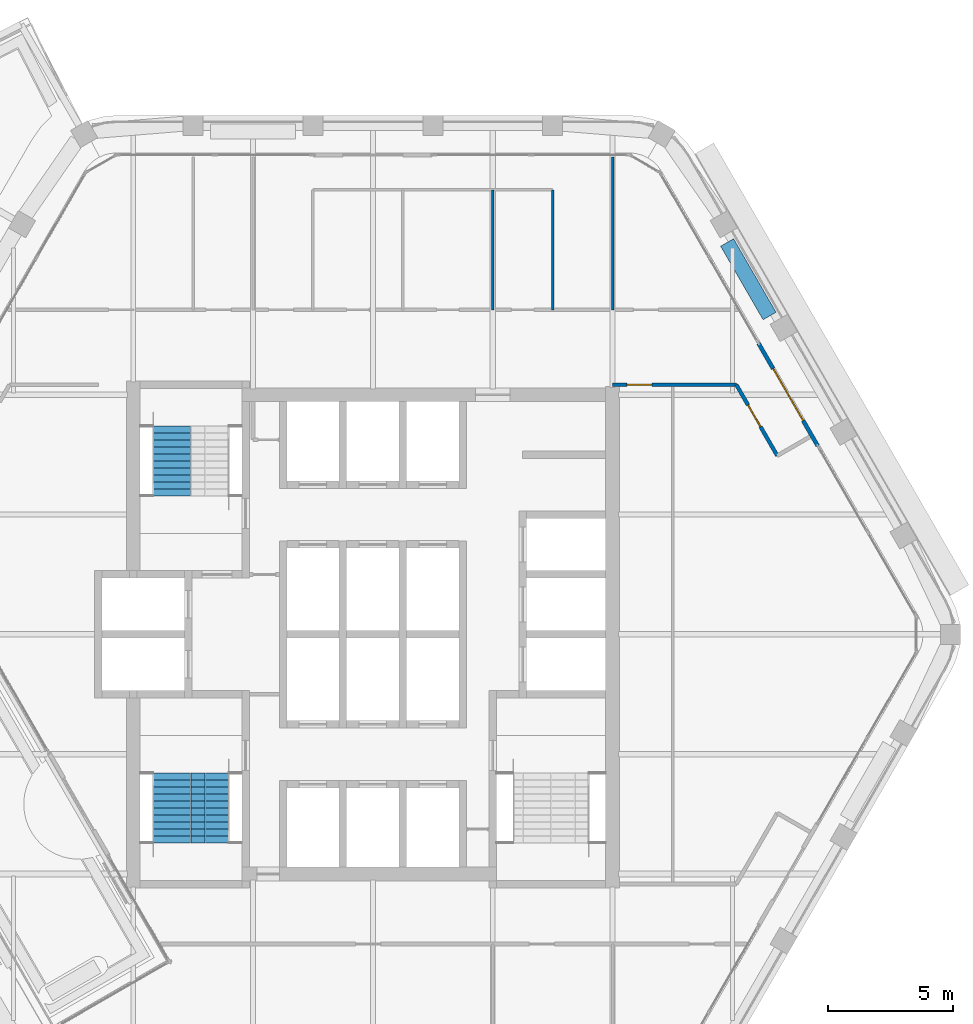
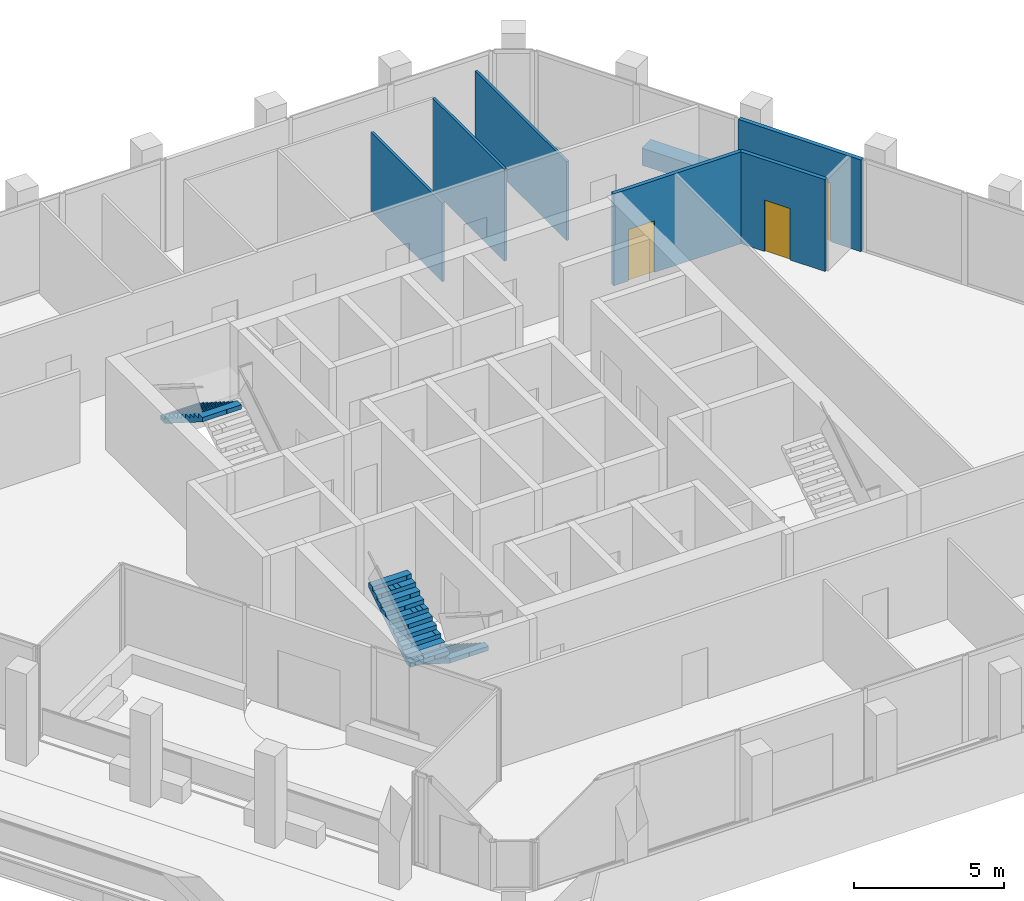
# One storey, part 12 of 15: 7 walls, 3 doors, 3 stair flights, 3 openings, 2 elements without a shape of their own.
"""IFC4 building model written with IfcOpenShell, lengths in metres."""

from ifc_helpers import new_model, si_unit, direction, frame, frame_2d, origin, place, context, subcontext, project, spatial, polyline, rectangle, outline, extrude, material, layer, layer_set, type_object, element, fill, aggregate, save


model = new_model("IFC4")

# Units and contexts
model_context = context("Model", 3, precision=1e-05, world=origin(), true_north=direction((0.0, 1.0)))
body_context = subcontext(model_context, "Body", "Model", "MODEL_VIEW")
ifc_project = project(units=[si_unit("LENGTHUNIT", "METRE"), si_unit("AREAUNIT", "SQUARE_METRE"), si_unit("VOLUMEUNIT", "CUBIC_METRE"), si_unit("PLANEANGLEUNIT", "RADIAN"), si_unit("MASSUNIT", "GRAM", prefix="KILO")], contexts=[model_context])

# Site, building, storey
site_placement = place(None, origin())
site = spatial("IfcSite", under=ifc_project, at=site_placement, CompositionType="ELEMENT")
building_placement = place(site_placement, origin())
building = spatial("IfcBuilding", under=site, at=building_placement, Name="Kolab Exchange Tower", CompositionType="ELEMENT")
storey_placement = place(building_placement, frame((0.0, 0.0, 238.39990234375)))
storey = spatial("IfcBuildingStorey", under=building, at=storey_placement, Name="L52", CompositionType="ELEMENT", Elevation=238.39990234375)

# Wall, opening, door
ifc_material_1 = material(Name="Aluminium EN AW-6063 T6", Category="aluminium")
ifc_layer_1 = layer(ifc_material_1, 0.159912109375)
ifc_layer_set_1 = layer_set([ifc_layer_1], Name="Aluminium EN AW-6063 T6")
wall_type_1 = type_object("IfcWallType", Name="DOOR SURROUND WALL 160 ALUMINIUM FRAMED", PredefinedType="PARTITIONING", material=ifc_layer_set_1)
wall_1_placement = place(storey_placement, frame((15.44677734375, 11.65478515625, 0.0), z_axis=(0.0, 0.0, 1.0), x_axis=(0.499978080042, -0.866038058908, 0.0)))
wall_1 = element("IfcWall", 1, at=wall_1_placement, inside=storey, type_object=wall_type_1, Name="Door surround wall", PredefinedType="PARTITIONING", context=body_context, shape_type="SweptSolid", body=[
    extrude(rectangle(XDim=4.739990234375, YDim=0.159912109375, at=frame_2d((2.3701171875, 0.0))), origin(), (0.0, 0.0, 1.0), 3.75),
])
opening_1_placement = place(wall_1_placement, frame((1.169921875, 0.0, 0.0)))
opening_1 = element("IfcOpeningElement", 2, at=opening_1_placement, cuts=wall_1, Name="Opening GD1-090", PredefinedType="OPENING", context=body_context, shape_type="SweptSolid", body=[
    extrude(rectangle(XDim=2.39990234375, YDim=2.39990234375, at=frame_2d((1.199951171875, 1.199951171875))), frame((0.0, 0.08984375, 0.0), z_axis=(0.0, -1.0, 0.0), x_axis=(1.0, 0.0, 0.0)), (0.0, 0.0, 1.0), 0.179931640625),
])
door_type_1 = type_object("IfcDoorType", Name="LOGGIA SLIDING GLASS DOOR 2400 X 2400", OperationType="DOUBLE_DOOR_SINGLE_SWING", PredefinedType="DOOR", material=ifc_material_1)
door_1_placement = place(opening_1_placement, origin())
door_1 = element("IfcDoor", 3, at=door_1_placement, inside=storey, type_object=door_type_1, Name="Loggia door", OperationType="DOUBLE_DOOR_SLIDING", OverallHeight=2.39990234375, OverallWidth=2.39990234375, PredefinedType="DOOR", context=body_context, shape_type="SweptSolid", body=[
    extrude(rectangle(XDim=2.39990234375, YDim=2.39990234375, at=frame_2d((1.199951171875, 1.199951171875))), frame((0.0, 0.02490234375, 0.0), z_axis=(0.0, -1.0, 0.0), x_axis=(1.0, 0.0, 0.0)), (0.0, 0.0, 1.0), 0.050048828125),
])
fill(opening_1, door_1)

# Walls
ifc_material_2 = material(Name="Gypsum board", Category="gypsum")
ifc_layer_2 = layer(ifc_material_2, 0.10009765625)
ifc_layer_set_2 = layer_set([ifc_layer_2], Name="Gypsum board")
wall_type_2 = type_object("IfcWallType", Name="PARTITION 100", PredefinedType="PARTITIONING", material=ifc_layer_set_2)
wall_2_placement = place(storey_placement, frame((9.60009765625, 13.0, 0.0), z_axis=(0.0, 0.0, 1.0), x_axis=(0.0, 1.0, 0.0)))
element("IfcWall", 4, at=wall_2_placement, inside=storey, type_object=wall_type_2, Name="Partition 002", PredefinedType="PARTITIONING", context=body_context, shape_type="SweptSolid", body=[
    extrude(rectangle(XDim=6.114501953125, YDim=0.10009765625, at=frame_2d((3.05712890625, 0.0))), origin(), (0.0, 0.0, 1.0), 3.217041015625),
])
wall_3_placement = place(storey_placement, frame((7.199951171875, 13.0, 0.0), z_axis=(0.0, 0.0, 1.0), x_axis=(0.0, 1.0, 0.0)))
element("IfcWall", 5, at=wall_3_placement, inside=storey, type_object=wall_type_2, Name="Partition 003", PredefinedType="PARTITIONING", context=body_context, shape_type="SweptSolid", body=[
    extrude(rectangle(XDim=4.800048828125, YDim=0.10009765625, at=frame_2d((2.39990234375, 0.0))), origin(), (0.0, 0.0, 1.0), 3.75),
])
wall_4_placement = place(storey_placement, frame((4.800048828125, 13.0, 0.0), z_axis=(0.0, 0.0, 1.0), x_axis=(0.0, 1.0, 0.0)))
element("IfcWall", 6, at=wall_4_placement, inside=storey, type_object=wall_type_2, Name="Partition 005", PredefinedType="PARTITIONING", context=body_context, shape_type="SweptSolid", body=[
    extrude(rectangle(XDim=4.800048828125, YDim=0.10009765625, at=frame_2d((2.39990234375, 0.0))), origin(), (0.0, 0.0, 1.0), 3.217041015625),
])

# Wall, opening, door
ifc_layer_3 = layer(ifc_material_2, 0.14990234375)
ifc_layer_set_3 = layer_set([ifc_layer_3], Name="Gypsum board")
wall_type_3 = type_object("IfcWallType", Name="PARTITION 150 FIRE-RATED", PredefinedType="PARTITIONING", material=ifc_layer_set_3)
wall_5_placement = place(storey_placement, frame((14.5546875, 10.0, 0.0), z_axis=(0.0, 0.0, 1.0), x_axis=(0.499954196102, -0.866051847062, 0.0)))
wall_5 = element("IfcWall", 7, at=wall_5_placement, inside=storey, type_object=wall_type_3, Name="Partition 011", PredefinedType="PARTITIONING", context=body_context, shape_type="SweptSolid", body=[
    extrude(rectangle(XDim=3.282958984375, YDim=0.14990234375, at=frame_2d((1.6416015625, 0.0))), origin(), (0.0, 0.0, 1.0), 3.75),
])
opening_2_placement = place(wall_5_placement, frame((0.94140625, 0.0, 0.0)))
opening_2 = element("IfcOpeningElement", 8, at=opening_2_placement, cuts=wall_5, Name="Opening D1-669", PredefinedType="OPENING", context=body_context, shape_type="SweptSolid", body=[
    extrude(rectangle(XDim=1.0, YDim=2.10009765625, at=frame_2d((0.5, 1.050048828125))), frame((0.0, 0.0849609375, 0.0), z_axis=(0.0, -1.0, 0.0), x_axis=(1.0, 0.0, 0.0)), (0.0, 0.0, 1.0), 0.169921875),
])
ifc_material_3 = material(Name="Steel S235", Category="steel")
door_type_2 = type_object("IfcDoorType", Name="FLUSH DOOR 1000 FD60", OperationType="SINGLE_SWING_LEFT", PredefinedType="DOOR", material=ifc_material_3)
door_2_placement = place(opening_2_placement, frame((1.0, 0.0, 0.0), z_axis=(0.0, 0.0, 1.0), x_axis=(-1.0, 0.0, 0.0)))
door_2 = element("IfcDoor", 9, at=door_2_placement, inside=storey, type_object=door_type_2, Name="Door L52-040", OperationType="SINGLE_SWING_LEFT", OverallHeight=2.10009765625, OverallWidth=1.0, PredefinedType="DOOR", context=body_context, shape_type="SweptSolid", body=[
    extrude(rectangle(XDim=1.0, YDim=2.10009765625, at=frame_2d((0.5, 1.050048828125))), frame((0.0, 0.02490234375, 0.0), z_axis=(0.0, -1.0, 0.0), x_axis=(1.0, 0.0, 0.0)), (0.0, 0.0, 1.0), 0.050048828125),
])
fill(opening_2, door_2)

wall_6_placement = place(storey_placement, frame((9.60009765625, 10.0, 0.0), z_axis=(0.0, 0.0, 1.0), x_axis=(1.0, 0.0, 0.0)))
wall_6 = element("IfcWall", 10, at=wall_6_placement, inside=storey, type_object=wall_type_3, Name="Partition 022", PredefinedType="PARTITIONING", context=body_context, shape_type="SweptSolid", body=[
    extrude(rectangle(XDim=4.95458984375, YDim=0.14990234375, at=frame_2d((2.477294921875, 0.0))), origin(), (0.0, 0.0, 1.0), 3.75),
])
opening_3_placement = place(wall_6_placement, frame((0.574951171875, 0.0, 0.0)))
opening_3 = element("IfcOpeningElement", 11, at=opening_3_placement, cuts=wall_6, Name="Opening D1-668", PredefinedType="OPENING", context=body_context, shape_type="SweptSolid", body=[
    extrude(rectangle(XDim=1.0, YDim=2.10009765625, at=frame_2d((0.5, 1.050048828125))), frame((0.0, 0.0849609375, 0.0), z_axis=(0.0, -1.0, 0.0), x_axis=(1.0, 0.0, 0.0)), (0.0, 0.0, 1.0), 0.169921875),
])
door_3_placement = place(opening_3_placement, frame((1.0, 0.0, 0.0), z_axis=(0.0, 0.0, 1.0), x_axis=(-1.0, 0.0, 0.0)))
door_3 = element("IfcDoor", 12, at=door_3_placement, inside=storey, type_object=door_type_2, Name="Door L52-039", OperationType="SINGLE_SWING_LEFT", OverallHeight=2.10009765625, OverallWidth=1.0, PredefinedType="DOOR", context=body_context, shape_type="SweptSolid", body=[
    extrude(rectangle(XDim=1.0, YDim=2.10009765625, at=frame_2d((0.5, 1.050048828125))), frame((0.0, 0.02490234375, 0.0), z_axis=(0.0, -1.0, 0.0), x_axis=(1.0, 0.0, 0.0)), (0.0, 0.0, 1.0), 0.050048828125),
])
fill(opening_3, door_3)

# Wall
ifc_material_4 = material(Name="Granite facing", Category="masonry")
ifc_layer_4 = layer(ifc_material_4, 0.0400390625)
ifc_material_5 = material(Name="Concrete C40/50 precast", Category="concrete")
ifc_layer_5 = layer(ifc_material_5, 0.56005859375)
ifc_layer_set_4 = layer_set([ifc_layer_4, ifc_layer_5], Name="Concrete C40/50 precast")
wall_type_4 = type_object("IfcWallType", Name="PLANTER BOX 600 X 700 SOIL DEPTH 550", PredefinedType="USERDEFINED", material=ifc_layer_set_4)
wall_7_placement = place(storey_placement, frame((14.18701171875, 15.696533203125, 0.0), z_axis=(0.0, 0.0, 1.0), x_axis=(0.499977295307, -0.866038511948, 0.0)))
element("IfcWall", 13, at=wall_7_placement, inside=storey, type_object=wall_type_4, Name="Planter", ObjectType="PLANTER", PredefinedType="USERDEFINED", context=body_context, shape_type="SweptSolid", body=[
    extrude(rectangle(XDim=3.400146484375, YDim=0.60009765625, at=frame_2d((1.7001953125, 0.0))), origin(), (0.0, 0.0, 1.0), 0.7001953125),
])

# Stair, stair flight
ifc_material_6 = material(Name="Concrete C50/60", Category="concrete")
stair_type_1 = type_object("IfcStairType", Name="STAIR ST1 RISER 177.3", PredefinedType="HALF_TURN_STAIR", material=ifc_material_6)
stair_1_placement = place(storey_placement, origin())
stair_1 = element("IfcStair", 14, at=stair_1_placement, inside=storey, type_object=stair_type_1, Name="Stair 1", PredefinedType="HALF_TURN_STAIR")
stair_flight_type = type_object("IfcStairFlightType", Name="STAIR FLIGHT 1500 RISER 177.3", PredefinedType="STRAIGHT", material=ifc_material_6)
stair_flight_1_placement = place(storey_placement, frame((-8.047607421875, 8.35009765625, 1.9501953125), z_axis=(0.0, 0.0, 1.0), x_axis=(0.0, -1.0, 0.0)))
stair_flight_1 = element("IfcStairFlight", 15, at=stair_flight_1_placement, type_object=stair_flight_type, Name="ST1 flight 2", NumberOfRisers=11, NumberOfTreads=10, PredefinedType="STRAIGHT", RiserHeight=0.177272727, TreadLength=0.28, context=body_context, shape_type="SweptSolid", body=[
    extrude(outline(polyline([(0.0, 0.0), (0.0, 0.17724609375), (0.280029296875, 0.17724609375), (0.280029296875, 0.3544921875), (0.56005859375, 0.3544921875), (0.56005859375, 0.53173828125), (0.840087890625, 0.53173828125), (0.840087890625, 0.708984375), (1.1201171875, 0.708984375), (1.1201171875, 0.886474609375), (1.39990234375, 0.886474609375), (1.39990234375, 1.063720703125), (1.679931640625, 1.063720703125), (1.679931640625, 1.240966796875), (1.9599609375, 1.240966796875), (1.9599609375, 1.418212890625), (2.239990234375, 1.418212890625), (2.239990234375, 1.595458984375), (2.52001953125, 1.595458984375), (2.52001953125, 1.772705078125), (2.800048828125, 1.772705078125), (2.800048828125, 1.949951171875), (2.800048828125, 1.59521484375), (0.2802734375, 0.0), (0.0, 0.0)])), frame((0.0, 0.75, 0.0), z_axis=(0.0, -1.0, 0.0), x_axis=(1.0, 0.0, 0.0)), (0.0, 0.0, 1.0), 0.185791015625),
    extrude(outline(polyline([(0.0, 0.0), (0.0, 0.17724609375), (0.280029296875, 0.17724609375), (0.280029296875, 0.3544921875), (0.56005859375, 0.3544921875), (0.56005859375, 0.53173828125), (0.840087890625, 0.53173828125), (0.840087890625, 0.708984375), (1.1201171875, 0.708984375), (1.1201171875, 0.886474609375), (1.39990234375, 0.886474609375), (1.39990234375, 1.063720703125), (1.679931640625, 1.063720703125), (1.679931640625, 1.240966796875), (1.9599609375, 1.240966796875), (1.9599609375, 1.418212890625), (2.239990234375, 1.418212890625), (2.239990234375, 1.595458984375), (2.52001953125, 1.595458984375), (2.52001953125, 1.772705078125), (2.800048828125, 1.772705078125), (2.800048828125, 1.949951171875), (2.800048828125, 1.59521484375), (0.2802734375, 0.0), (0.0, 0.0)])), frame((0.0, 0.562255859375, 0.0), z_axis=(0.0, -1.0, 0.0), x_axis=(1.0, 0.0, 0.0)), (0.0, 0.0, 1.0), 0.185791015625),
    extrude(outline(polyline([(0.0, 0.0), (0.0, 0.17724609375), (0.280029296875, 0.17724609375), (0.280029296875, 0.3544921875), (0.56005859375, 0.3544921875), (0.56005859375, 0.53173828125), (0.840087890625, 0.53173828125), (0.840087890625, 0.708984375), (1.1201171875, 0.708984375), (1.1201171875, 0.886474609375), (1.39990234375, 0.886474609375), (1.39990234375, 1.063720703125), (1.679931640625, 1.063720703125), (1.679931640625, 1.240966796875), (1.9599609375, 1.240966796875), (1.9599609375, 1.418212890625), (2.239990234375, 1.418212890625), (2.239990234375, 1.595458984375), (2.52001953125, 1.595458984375), (2.52001953125, 1.772705078125), (2.800048828125, 1.772705078125), (2.800048828125, 1.949951171875), (2.800048828125, 1.59521484375), (0.2802734375, 0.0), (0.0, 0.0)])), frame((0.0, 0.37451171875, 0.0), z_axis=(0.0, -1.0, 0.0), x_axis=(1.0, 0.0, 0.0)), (0.0, 0.0, 1.0), 0.185791015625),
    extrude(outline(polyline([(0.0, 0.0), (0.0, 0.17724609375), (0.280029296875, 0.17724609375), (0.280029296875, 0.3544921875), (0.56005859375, 0.3544921875), (0.56005859375, 0.53173828125), (0.840087890625, 0.53173828125), (0.840087890625, 0.708984375), (1.1201171875, 0.708984375), (1.1201171875, 0.886474609375), (1.39990234375, 0.886474609375), (1.39990234375, 1.063720703125), (1.679931640625, 1.063720703125), (1.679931640625, 1.240966796875), (1.9599609375, 1.240966796875), (1.9599609375, 1.418212890625), (2.239990234375, 1.418212890625), (2.239990234375, 1.595458984375), (2.52001953125, 1.595458984375), (2.52001953125, 1.772705078125), (2.800048828125, 1.772705078125), (2.800048828125, 1.949951171875), (2.800048828125, 1.59521484375), (0.2802734375, 0.0), (0.0, 0.0)])), frame((0.0, 0.186767578125, 0.0), z_axis=(0.0, -1.0, 0.0), x_axis=(1.0, 0.0, 0.0)), (0.0, 0.0, 1.0), 0.185791015625),
    extrude(outline(polyline([(0.0, 0.0), (0.0, 0.17724609375), (0.280029296875, 0.17724609375), (0.280029296875, 0.3544921875), (0.56005859375, 0.3544921875), (0.56005859375, 0.53173828125), (0.840087890625, 0.53173828125), (0.840087890625, 0.708984375), (1.1201171875, 0.708984375), (1.1201171875, 0.886474609375), (1.39990234375, 0.886474609375), (1.39990234375, 1.063720703125), (1.679931640625, 1.063720703125), (1.679931640625, 1.240966796875), (1.9599609375, 1.240966796875), (1.9599609375, 1.418212890625), (2.239990234375, 1.418212890625), (2.239990234375, 1.595458984375), (2.52001953125, 1.595458984375), (2.52001953125, 1.772705078125), (2.800048828125, 1.772705078125), (2.800048828125, 1.949951171875), (2.800048828125, 1.59521484375), (0.2802734375, 0.0), (0.0, 0.0)])), frame((0.0, -0.0009765625, 0.0), z_axis=(0.0, -1.0, 0.0), x_axis=(1.0, 0.0, 0.0)), (0.0, 0.0, 1.0), 0.185791015625),
    extrude(outline(polyline([(0.0, 0.0), (0.0, 0.17724609375), (0.280029296875, 0.17724609375), (0.280029296875, 0.3544921875), (0.56005859375, 0.3544921875), (0.56005859375, 0.53173828125), (0.840087890625, 0.53173828125), (0.840087890625, 0.708984375), (1.1201171875, 0.708984375), (1.1201171875, 0.886474609375), (1.39990234375, 0.886474609375), (1.39990234375, 1.063720703125), (1.679931640625, 1.063720703125), (1.679931640625, 1.240966796875), (1.9599609375, 1.240966796875), (1.9599609375, 1.418212890625), (2.239990234375, 1.418212890625), (2.239990234375, 1.595458984375), (2.52001953125, 1.595458984375), (2.52001953125, 1.772705078125), (2.800048828125, 1.772705078125), (2.800048828125, 1.949951171875), (2.800048828125, 1.59521484375), (0.2802734375, 0.0), (0.0, 0.0)])), frame((0.0, -0.188720703125, 0.0), z_axis=(0.0, -1.0, 0.0), x_axis=(1.0, 0.0, 0.0)), (0.0, 0.0, 1.0), 0.185791015625),
    extrude(outline(polyline([(0.0, 0.0), (0.0, 0.17724609375), (0.280029296875, 0.17724609375), (0.280029296875, 0.3544921875), (0.56005859375, 0.3544921875), (0.56005859375, 0.53173828125), (0.840087890625, 0.53173828125), (0.840087890625, 0.708984375), (1.1201171875, 0.708984375), (1.1201171875, 0.886474609375), (1.39990234375, 0.886474609375), (1.39990234375, 1.063720703125), (1.679931640625, 1.063720703125), (1.679931640625, 1.240966796875), (1.9599609375, 1.240966796875), (1.9599609375, 1.418212890625), (2.239990234375, 1.418212890625), (2.239990234375, 1.595458984375), (2.52001953125, 1.595458984375), (2.52001953125, 1.772705078125), (2.800048828125, 1.772705078125), (2.800048828125, 1.949951171875), (2.800048828125, 1.59521484375), (0.2802734375, 0.0), (0.0, 0.0)])), frame((0.0, -0.37646484375, 0.0), z_axis=(0.0, -1.0, 0.0), x_axis=(1.0, 0.0, 0.0)), (0.0, 0.0, 1.0), 0.185791015625),
    extrude(outline(polyline([(0.0, 0.0), (0.0, 0.17724609375), (0.280029296875, 0.17724609375), (0.280029296875, 0.3544921875), (0.56005859375, 0.3544921875), (0.56005859375, 0.53173828125), (0.840087890625, 0.53173828125), (0.840087890625, 0.708984375), (1.1201171875, 0.708984375), (1.1201171875, 0.886474609375), (1.39990234375, 0.886474609375), (1.39990234375, 1.063720703125), (1.679931640625, 1.063720703125), (1.679931640625, 1.240966796875), (1.9599609375, 1.240966796875), (1.9599609375, 1.418212890625), (2.239990234375, 1.418212890625), (2.239990234375, 1.595458984375), (2.52001953125, 1.595458984375), (2.52001953125, 1.772705078125), (2.800048828125, 1.772705078125), (2.800048828125, 1.949951171875), (2.800048828125, 1.59521484375), (0.2802734375, 0.0), (0.0, 0.0)])), frame((0.0, -0.564208984375, 0.0), z_axis=(0.0, -1.0, 0.0), x_axis=(1.0, 0.0, 0.0)), (0.0, 0.0, 1.0), 0.185791015625),
])
aggregate(stair_1, [stair_flight_1])

# Stair, stair flights
stair_type_2 = type_object("IfcStairType", Name="STAIR ST3 RISER 177.3", PredefinedType="HALF_TURN_STAIR", material=ifc_material_6)
stair_2_placement = place(storey_placement, origin())
stair_2 = element("IfcStair", 16, at=stair_2_placement, inside=storey, type_object=stair_type_2, Name="Stair 3", PredefinedType="HALF_TURN_STAIR")
stair_flight_2_placement = place(storey_placement, frame((-6.527587890625, -5.550048828125, 0.0), z_axis=(0.0, 0.0, 1.0), x_axis=(0.0, -1.0, 0.0)))
stair_flight_2 = element("IfcStairFlight", 17, at=stair_flight_2_placement, type_object=stair_flight_type, Name="ST3 flight 1", NumberOfRisers=11, NumberOfTreads=10, PredefinedType="STRAIGHT", RiserHeight=0.177272727, TreadLength=0.28, context=body_context, shape_type="SweptSolid", body=[
    extrude(outline(polyline([(0.0, 0.0), (0.0, 0.17724609375), (0.280029296875, 0.17724609375), (0.280029296875, 0.3544921875), (0.56005859375, 0.3544921875), (0.56005859375, 0.53173828125), (0.840087890625, 0.53173828125), (0.840087890625, 0.708984375), (1.1201171875, 0.708984375), (1.1201171875, 0.886474609375), (1.39990234375, 0.886474609375), (1.39990234375, 1.063720703125), (1.679931640625, 1.063720703125), (1.679931640625, 1.240966796875), (1.9599609375, 1.240966796875), (1.9599609375, 1.418212890625), (2.239990234375, 1.418212890625), (2.239990234375, 1.595458984375), (2.52001953125, 1.595458984375), (2.52001953125, 1.772705078125), (2.800048828125, 1.772705078125), (2.800048828125, 1.949951171875), (2.800048828125, 1.59521484375), (0.2802734375, 0.0), (0.0, 0.0)])), frame((0.0, 0.75, 0.0), z_axis=(0.0, -1.0, 0.0), x_axis=(1.0, 0.0, 0.0)), (0.0, 0.0, 1.0), 0.185791015625),
    extrude(outline(polyline([(0.0, 0.0), (0.0, 0.17724609375), (0.280029296875, 0.17724609375), (0.280029296875, 0.3544921875), (0.56005859375, 0.3544921875), (0.56005859375, 0.53173828125), (0.840087890625, 0.53173828125), (0.840087890625, 0.708984375), (1.1201171875, 0.708984375), (1.1201171875, 0.886474609375), (1.39990234375, 0.886474609375), (1.39990234375, 1.063720703125), (1.679931640625, 1.063720703125), (1.679931640625, 1.240966796875), (1.9599609375, 1.240966796875), (1.9599609375, 1.418212890625), (2.239990234375, 1.418212890625), (2.239990234375, 1.595458984375), (2.52001953125, 1.595458984375), (2.52001953125, 1.772705078125), (2.800048828125, 1.772705078125), (2.800048828125, 1.949951171875), (2.800048828125, 1.59521484375), (0.2802734375, 0.0), (0.0, 0.0)])), frame((0.0, 0.562255859375, 0.0), z_axis=(0.0, -1.0, 0.0), x_axis=(1.0, 0.0, 0.0)), (0.0, 0.0, 1.0), 0.185791015625),
    extrude(outline(polyline([(0.0, 0.0), (0.0, 0.17724609375), (0.280029296875, 0.17724609375), (0.280029296875, 0.3544921875), (0.56005859375, 0.3544921875), (0.56005859375, 0.53173828125), (0.840087890625, 0.53173828125), (0.840087890625, 0.708984375), (1.1201171875, 0.708984375), (1.1201171875, 0.886474609375), (1.39990234375, 0.886474609375), (1.39990234375, 1.063720703125), (1.679931640625, 1.063720703125), (1.679931640625, 1.240966796875), (1.9599609375, 1.240966796875), (1.9599609375, 1.418212890625), (2.239990234375, 1.418212890625), (2.239990234375, 1.595458984375), (2.52001953125, 1.595458984375), (2.52001953125, 1.772705078125), (2.800048828125, 1.772705078125), (2.800048828125, 1.949951171875), (2.800048828125, 1.59521484375), (0.2802734375, 0.0), (0.0, 0.0)])), frame((0.0, 0.37451171875, 0.0), z_axis=(0.0, -1.0, 0.0), x_axis=(1.0, 0.0, 0.0)), (0.0, 0.0, 1.0), 0.185791015625),
    extrude(outline(polyline([(0.0, 0.0), (0.0, 0.17724609375), (0.280029296875, 0.17724609375), (0.280029296875, 0.3544921875), (0.56005859375, 0.3544921875), (0.56005859375, 0.53173828125), (0.840087890625, 0.53173828125), (0.840087890625, 0.708984375), (1.1201171875, 0.708984375), (1.1201171875, 0.886474609375), (1.39990234375, 0.886474609375), (1.39990234375, 1.063720703125), (1.679931640625, 1.063720703125), (1.679931640625, 1.240966796875), (1.9599609375, 1.240966796875), (1.9599609375, 1.418212890625), (2.239990234375, 1.418212890625), (2.239990234375, 1.595458984375), (2.52001953125, 1.595458984375), (2.52001953125, 1.772705078125), (2.800048828125, 1.772705078125), (2.800048828125, 1.949951171875), (2.800048828125, 1.59521484375), (0.2802734375, 0.0), (0.0, 0.0)])), frame((0.0, 0.186767578125, 0.0), z_axis=(0.0, -1.0, 0.0), x_axis=(1.0, 0.0, 0.0)), (0.0, 0.0, 1.0), 0.185791015625),
    extrude(outline(polyline([(0.0, 0.0), (0.0, 0.17724609375), (0.280029296875, 0.17724609375), (0.280029296875, 0.3544921875), (0.56005859375, 0.3544921875), (0.56005859375, 0.53173828125), (0.840087890625, 0.53173828125), (0.840087890625, 0.708984375), (1.1201171875, 0.708984375), (1.1201171875, 0.886474609375), (1.39990234375, 0.886474609375), (1.39990234375, 1.063720703125), (1.679931640625, 1.063720703125), (1.679931640625, 1.240966796875), (1.9599609375, 1.240966796875), (1.9599609375, 1.418212890625), (2.239990234375, 1.418212890625), (2.239990234375, 1.595458984375), (2.52001953125, 1.595458984375), (2.52001953125, 1.772705078125), (2.800048828125, 1.772705078125), (2.800048828125, 1.949951171875), (2.800048828125, 1.59521484375), (0.2802734375, 0.0), (0.0, 0.0)])), frame((0.0, -0.0009765625, 0.0), z_axis=(0.0, -1.0, 0.0), x_axis=(1.0, 0.0, 0.0)), (0.0, 0.0, 1.0), 0.185791015625),
    extrude(outline(polyline([(0.0, 0.0), (0.0, 0.17724609375), (0.280029296875, 0.17724609375), (0.280029296875, 0.3544921875), (0.56005859375, 0.3544921875), (0.56005859375, 0.53173828125), (0.840087890625, 0.53173828125), (0.840087890625, 0.708984375), (1.1201171875, 0.708984375), (1.1201171875, 0.886474609375), (1.39990234375, 0.886474609375), (1.39990234375, 1.063720703125), (1.679931640625, 1.063720703125), (1.679931640625, 1.240966796875), (1.9599609375, 1.240966796875), (1.9599609375, 1.418212890625), (2.239990234375, 1.418212890625), (2.239990234375, 1.595458984375), (2.52001953125, 1.595458984375), (2.52001953125, 1.772705078125), (2.800048828125, 1.772705078125), (2.800048828125, 1.949951171875), (2.800048828125, 1.59521484375), (0.2802734375, 0.0), (0.0, 0.0)])), frame((0.0, -0.188720703125, 0.0), z_axis=(0.0, -1.0, 0.0), x_axis=(1.0, 0.0, 0.0)), (0.0, 0.0, 1.0), 0.185791015625),
    extrude(outline(polyline([(0.0, 0.0), (0.0, 0.17724609375), (0.280029296875, 0.17724609375), (0.280029296875, 0.3544921875), (0.56005859375, 0.3544921875), (0.56005859375, 0.53173828125), (0.840087890625, 0.53173828125), (0.840087890625, 0.708984375), (1.1201171875, 0.708984375), (1.1201171875, 0.886474609375), (1.39990234375, 0.886474609375), (1.39990234375, 1.063720703125), (1.679931640625, 1.063720703125), (1.679931640625, 1.240966796875), (1.9599609375, 1.240966796875), (1.9599609375, 1.418212890625), (2.239990234375, 1.418212890625), (2.239990234375, 1.595458984375), (2.52001953125, 1.595458984375), (2.52001953125, 1.772705078125), (2.800048828125, 1.772705078125), (2.800048828125, 1.949951171875), (2.800048828125, 1.59521484375), (0.2802734375, 0.0), (0.0, 0.0)])), frame((0.0, -0.37646484375, 0.0), z_axis=(0.0, -1.0, 0.0), x_axis=(1.0, 0.0, 0.0)), (0.0, 0.0, 1.0), 0.185791015625),
    extrude(outline(polyline([(0.0, 0.0), (0.0, 0.17724609375), (0.280029296875, 0.17724609375), (0.280029296875, 0.3544921875), (0.56005859375, 0.3544921875), (0.56005859375, 0.53173828125), (0.840087890625, 0.53173828125), (0.840087890625, 0.708984375), (1.1201171875, 0.708984375), (1.1201171875, 0.886474609375), (1.39990234375, 0.886474609375), (1.39990234375, 1.063720703125), (1.679931640625, 1.063720703125), (1.679931640625, 1.240966796875), (1.9599609375, 1.240966796875), (1.9599609375, 1.418212890625), (2.239990234375, 1.418212890625), (2.239990234375, 1.595458984375), (2.52001953125, 1.595458984375), (2.52001953125, 1.772705078125), (2.800048828125, 1.772705078125), (2.800048828125, 1.949951171875), (2.800048828125, 1.59521484375), (0.2802734375, 0.0), (0.0, 0.0)])), frame((0.0, -0.564208984375, 0.0), z_axis=(0.0, -1.0, 0.0), x_axis=(1.0, 0.0, 0.0)), (0.0, 0.0, 1.0), 0.185791015625),
])
stair_flight_3_placement = place(storey_placement, frame((-8.047607421875, -8.35009765625, 1.9501953125), z_axis=(0.0, 0.0, 1.0), x_axis=(0.0, 1.0, 0.0)))
stair_flight_3 = element("IfcStairFlight", 18, at=stair_flight_3_placement, type_object=stair_flight_type, Name="ST3 flight 2", NumberOfRisers=11, NumberOfTreads=10, PredefinedType="STRAIGHT", RiserHeight=0.177272727, TreadLength=0.28, context=body_context, shape_type="SweptSolid", body=[
    extrude(outline(polyline([(0.0, 0.0), (0.0, 0.17724609375), (0.280029296875, 0.17724609375), (0.280029296875, 0.3544921875), (0.56005859375, 0.3544921875), (0.56005859375, 0.53173828125), (0.840087890625, 0.53173828125), (0.840087890625, 0.708984375), (1.1201171875, 0.708984375), (1.1201171875, 0.886474609375), (1.39990234375, 0.886474609375), (1.39990234375, 1.063720703125), (1.679931640625, 1.063720703125), (1.679931640625, 1.240966796875), (1.9599609375, 1.240966796875), (1.9599609375, 1.418212890625), (2.239990234375, 1.418212890625), (2.239990234375, 1.595458984375), (2.52001953125, 1.595458984375), (2.52001953125, 1.772705078125), (2.800048828125, 1.772705078125), (2.800048828125, 1.949951171875), (2.800048828125, 1.59521484375), (0.2802734375, 0.0), (0.0, 0.0)])), frame((0.0, 0.75, 0.0), z_axis=(0.0, -1.0, 0.0), x_axis=(1.0, 0.0, 0.0)), (0.0, 0.0, 1.0), 0.185791015625),
    extrude(outline(polyline([(0.0, 0.0), (0.0, 0.17724609375), (0.280029296875, 0.17724609375), (0.280029296875, 0.3544921875), (0.56005859375, 0.3544921875), (0.56005859375, 0.53173828125), (0.840087890625, 0.53173828125), (0.840087890625, 0.708984375), (1.1201171875, 0.708984375), (1.1201171875, 0.886474609375), (1.39990234375, 0.886474609375), (1.39990234375, 1.063720703125), (1.679931640625, 1.063720703125), (1.679931640625, 1.240966796875), (1.9599609375, 1.240966796875), (1.9599609375, 1.418212890625), (2.239990234375, 1.418212890625), (2.239990234375, 1.595458984375), (2.52001953125, 1.595458984375), (2.52001953125, 1.772705078125), (2.800048828125, 1.772705078125), (2.800048828125, 1.949951171875), (2.800048828125, 1.59521484375), (0.2802734375, 0.0), (0.0, 0.0)])), frame((0.0, 0.562255859375, 0.0), z_axis=(0.0, -1.0, 0.0), x_axis=(1.0, 0.0, 0.0)), (0.0, 0.0, 1.0), 0.185791015625),
    extrude(outline(polyline([(0.0, 0.0), (0.0, 0.17724609375), (0.280029296875, 0.17724609375), (0.280029296875, 0.3544921875), (0.56005859375, 0.3544921875), (0.56005859375, 0.53173828125), (0.840087890625, 0.53173828125), (0.840087890625, 0.708984375), (1.1201171875, 0.708984375), (1.1201171875, 0.886474609375), (1.39990234375, 0.886474609375), (1.39990234375, 1.063720703125), (1.679931640625, 1.063720703125), (1.679931640625, 1.240966796875), (1.9599609375, 1.240966796875), (1.9599609375, 1.418212890625), (2.239990234375, 1.418212890625), (2.239990234375, 1.595458984375), (2.52001953125, 1.595458984375), (2.52001953125, 1.772705078125), (2.800048828125, 1.772705078125), (2.800048828125, 1.949951171875), (2.800048828125, 1.59521484375), (0.2802734375, 0.0), (0.0, 0.0)])), frame((0.0, 0.37451171875, 0.0), z_axis=(0.0, -1.0, 0.0), x_axis=(1.0, 0.0, 0.0)), (0.0, 0.0, 1.0), 0.185791015625),
    extrude(outline(polyline([(0.0, 0.0), (0.0, 0.17724609375), (0.280029296875, 0.17724609375), (0.280029296875, 0.3544921875), (0.56005859375, 0.3544921875), (0.56005859375, 0.53173828125), (0.840087890625, 0.53173828125), (0.840087890625, 0.708984375), (1.1201171875, 0.708984375), (1.1201171875, 0.886474609375), (1.39990234375, 0.886474609375), (1.39990234375, 1.063720703125), (1.679931640625, 1.063720703125), (1.679931640625, 1.240966796875), (1.9599609375, 1.240966796875), (1.9599609375, 1.418212890625), (2.239990234375, 1.418212890625), (2.239990234375, 1.595458984375), (2.52001953125, 1.595458984375), (2.52001953125, 1.772705078125), (2.800048828125, 1.772705078125), (2.800048828125, 1.949951171875), (2.800048828125, 1.59521484375), (0.2802734375, 0.0), (0.0, 0.0)])), frame((0.0, 0.186767578125, 0.0), z_axis=(0.0, -1.0, 0.0), x_axis=(1.0, 0.0, 0.0)), (0.0, 0.0, 1.0), 0.185791015625),
    extrude(outline(polyline([(0.0, 0.0), (0.0, 0.17724609375), (0.280029296875, 0.17724609375), (0.280029296875, 0.3544921875), (0.56005859375, 0.3544921875), (0.56005859375, 0.53173828125), (0.840087890625, 0.53173828125), (0.840087890625, 0.708984375), (1.1201171875, 0.708984375), (1.1201171875, 0.886474609375), (1.39990234375, 0.886474609375), (1.39990234375, 1.063720703125), (1.679931640625, 1.063720703125), (1.679931640625, 1.240966796875), (1.9599609375, 1.240966796875), (1.9599609375, 1.418212890625), (2.239990234375, 1.418212890625), (2.239990234375, 1.595458984375), (2.52001953125, 1.595458984375), (2.52001953125, 1.772705078125), (2.800048828125, 1.772705078125), (2.800048828125, 1.949951171875), (2.800048828125, 1.59521484375), (0.2802734375, 0.0), (0.0, 0.0)])), frame((0.0, -0.0009765625, 0.0), z_axis=(0.0, -1.0, 0.0), x_axis=(1.0, 0.0, 0.0)), (0.0, 0.0, 1.0), 0.185791015625),
    extrude(outline(polyline([(0.0, 0.0), (0.0, 0.17724609375), (0.280029296875, 0.17724609375), (0.280029296875, 0.3544921875), (0.56005859375, 0.3544921875), (0.56005859375, 0.53173828125), (0.840087890625, 0.53173828125), (0.840087890625, 0.708984375), (1.1201171875, 0.708984375), (1.1201171875, 0.886474609375), (1.39990234375, 0.886474609375), (1.39990234375, 1.063720703125), (1.679931640625, 1.063720703125), (1.679931640625, 1.240966796875), (1.9599609375, 1.240966796875), (1.9599609375, 1.418212890625), (2.239990234375, 1.418212890625), (2.239990234375, 1.595458984375), (2.52001953125, 1.595458984375), (2.52001953125, 1.772705078125), (2.800048828125, 1.772705078125), (2.800048828125, 1.949951171875), (2.800048828125, 1.59521484375), (0.2802734375, 0.0), (0.0, 0.0)])), frame((0.0, -0.188720703125, 0.0), z_axis=(0.0, -1.0, 0.0), x_axis=(1.0, 0.0, 0.0)), (0.0, 0.0, 1.0), 0.185791015625),
    extrude(outline(polyline([(0.0, 0.0), (0.0, 0.17724609375), (0.280029296875, 0.17724609375), (0.280029296875, 0.3544921875), (0.56005859375, 0.3544921875), (0.56005859375, 0.53173828125), (0.840087890625, 0.53173828125), (0.840087890625, 0.708984375), (1.1201171875, 0.708984375), (1.1201171875, 0.886474609375), (1.39990234375, 0.886474609375), (1.39990234375, 1.063720703125), (1.679931640625, 1.063720703125), (1.679931640625, 1.240966796875), (1.9599609375, 1.240966796875), (1.9599609375, 1.418212890625), (2.239990234375, 1.418212890625), (2.239990234375, 1.595458984375), (2.52001953125, 1.595458984375), (2.52001953125, 1.772705078125), (2.800048828125, 1.772705078125), (2.800048828125, 1.949951171875), (2.800048828125, 1.59521484375), (0.2802734375, 0.0), (0.0, 0.0)])), frame((0.0, -0.37646484375, 0.0), z_axis=(0.0, -1.0, 0.0), x_axis=(1.0, 0.0, 0.0)), (0.0, 0.0, 1.0), 0.185791015625),
    extrude(outline(polyline([(0.0, 0.0), (0.0, 0.17724609375), (0.280029296875, 0.17724609375), (0.280029296875, 0.3544921875), (0.56005859375, 0.3544921875), (0.56005859375, 0.53173828125), (0.840087890625, 0.53173828125), (0.840087890625, 0.708984375), (1.1201171875, 0.708984375), (1.1201171875, 0.886474609375), (1.39990234375, 0.886474609375), (1.39990234375, 1.063720703125), (1.679931640625, 1.063720703125), (1.679931640625, 1.240966796875), (1.9599609375, 1.240966796875), (1.9599609375, 1.418212890625), (2.239990234375, 1.418212890625), (2.239990234375, 1.595458984375), (2.52001953125, 1.595458984375), (2.52001953125, 1.772705078125), (2.800048828125, 1.772705078125), (2.800048828125, 1.949951171875), (2.800048828125, 1.59521484375), (0.2802734375, 0.0), (0.0, 0.0)])), frame((0.0, -0.564208984375, 0.0), z_axis=(0.0, -1.0, 0.0), x_axis=(1.0, 0.0, 0.0)), (0.0, 0.0, 1.0), 0.185791015625),
])
aggregate(stair_2, [stair_flight_2, stair_flight_3])

save(model, "model.ifc")
